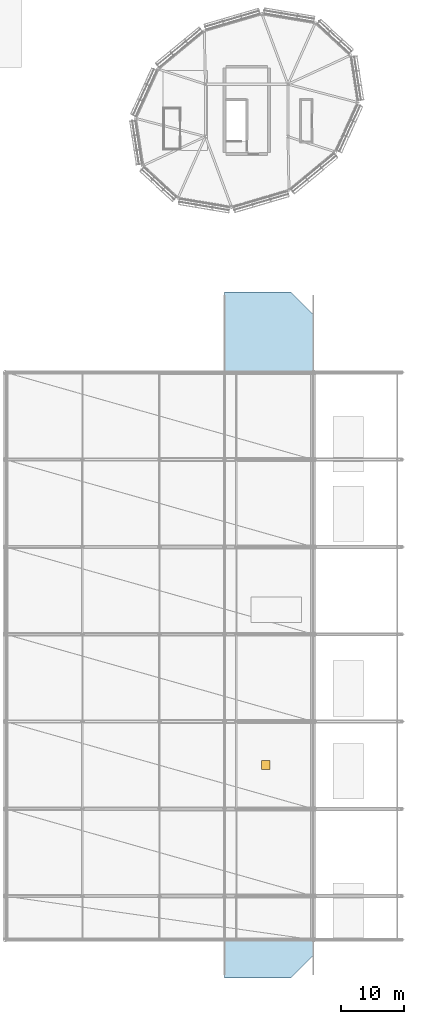
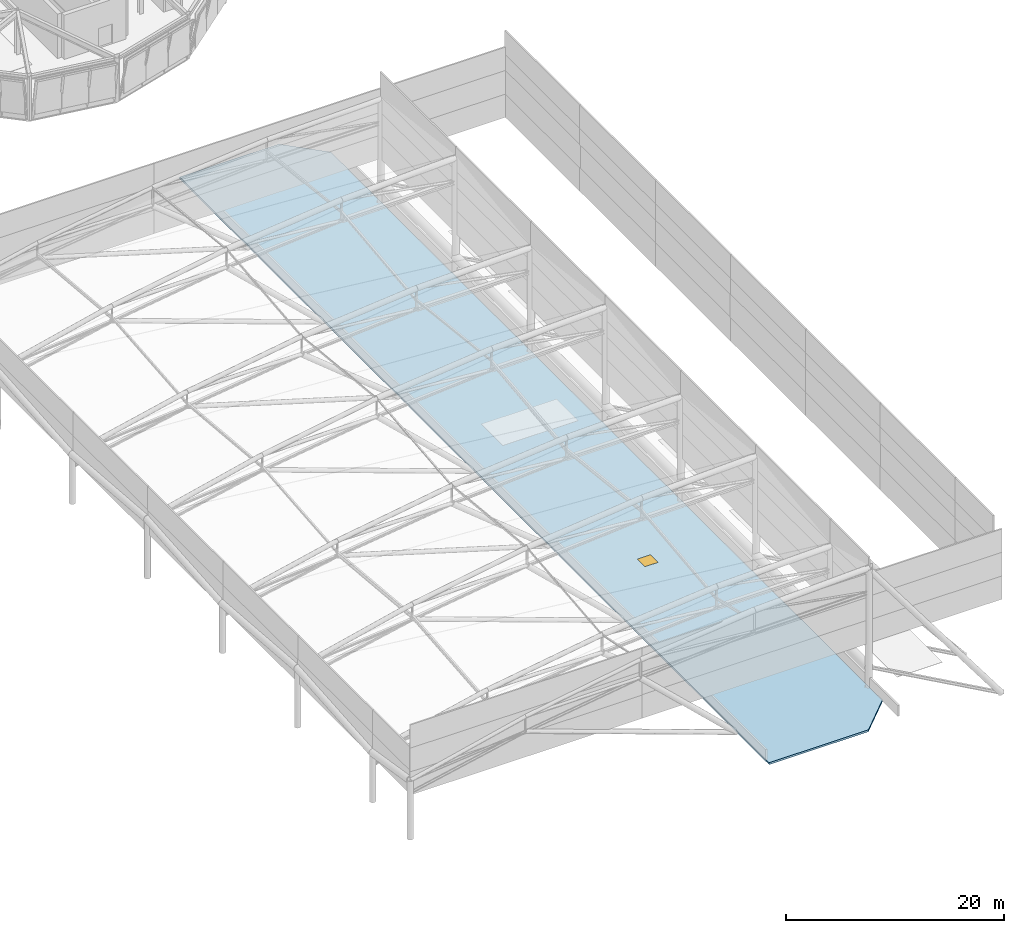
# One storey, part 71 of 113: 1 slab, 1 window, 1 opening.
"""IFC4 building model written with IfcOpenShell, lengths in metres."""

from ifc_helpers import new_model, si_unit, direction, frame, origin, origin_2d, place, context, subcontext, project, spatial, polyline, rectangle, outline, extrude, material, layer, layer_set, type_object, element, fill, save


model = new_model("IFC4")

# Units and contexts
model_context = context("Model", 3, precision=1e-05, world=origin(), true_north=direction((0.0, 1.0)))
body_context = subcontext(model_context, "Body", "Model", "MODEL_VIEW")
ifc_project = project(units=[si_unit("LENGTHUNIT", "METRE"), si_unit("AREAUNIT", "SQUARE_METRE"), si_unit("VOLUMEUNIT", "CUBIC_METRE"), si_unit("PLANEANGLEUNIT", "RADIAN"), si_unit("MASSUNIT", "GRAM", prefix="KILO")], contexts=[model_context])

# Site, building, storey
site_placement = place(None, origin())
site = spatial("IfcSite", under=ifc_project, at=site_placement, CompositionType="ELEMENT")
building_placement = place(site_placement, origin())
building = spatial("IfcBuilding", under=site, at=building_placement, Name="Linyun Crest Stadium", CompositionType="ELEMENT")
storey_placement = place(building_placement, frame((0.0, 0.0, 26.39990234375)))
storey = spatial("IfcBuildingStorey", under=building, at=storey_placement, Name="L06", CompositionType="ELEMENT", Elevation=26.39990234375)

# Slab, opening, window
ifc_material_1 = material(Name="Concrete C40", Category="concrete")
ifc_layer_1 = layer(ifc_material_1, 0.215087890625)
ifc_layer_set_1 = layer_set([ifc_layer_1], Name="Concrete C40")
slab_type = type_object("IfcSlabType", Name="RS02", PredefinedType="ROOF", material=ifc_layer_set_1)
slab_placement = place(storey_placement, frame((0.0, 0.0, -0.21484375)))
slab = element("IfcSlab", 1, at=slab_placement, inside=storey, type_object=slab_type, Name="Slab RS02 V2 L06 30", PredefinedType="ROOF", context=body_context, shape_type="SweptSolid", body=[
    extrude(outline(polyline([(70.0, -52.0), (80.5, -52.0), (84.0, -48.5), (84.0, 52.5), (80.5, 56.0), (70.0, 56.0), (70.0, -52.0)])), origin(), (0.0, 0.0, 1.0), 0.21484375),
])
opening_placement = place(slab_placement, frame((76.5, -18.5, 0.0)))
opening = element("IfcOpeningElement", 2, at=opening_placement, cuts=slab, Name="Opening RH02", PredefinedType="OPENING", context=body_context, shape_type="SweptSolid", body=[
    extrude(rectangle(XDim=1.39990234375, YDim=1.39990234375, at=origin_2d()), origin(), (0.0, 0.0, 1.0), 0.21484375),
])
ifc_material_2 = material(Name="Thermally insulated aluminium roof access hatch", Category="aluminium")
ifc_layer_2 = layer(ifc_material_2, 0.06494140625)
ifc_layer_set_2 = layer_set([ifc_layer_2], Name="Thermally insulated aluminium roof access hatch")
window_type = type_object("IfcWindowType", Name="RH02", PartitioningType="SINGLE_PANEL", PredefinedType="SKYLIGHT", material=ifc_layer_set_2)
window_placement = place(opening_placement, frame((0.0, 0.0, 0.14990234375)))
window = element("IfcWindow", 3, at=window_placement, inside=storey, type_object=window_type, Name="Roof access hatch RH02 L06 2", OverallHeight=1.39990234375, OverallWidth=1.39990234375, PartitioningType="SINGLE_PANEL", PredefinedType="SKYLIGHT", context=body_context, shape_type="SweptSolid", body=[
    extrude(rectangle(XDim=1.39990234375, YDim=1.39990234375, at=origin_2d()), origin(), (0.0, 0.0, 1.0), 0.06494140625),
])
fill(opening, window)

save(model, "model.ifc")
